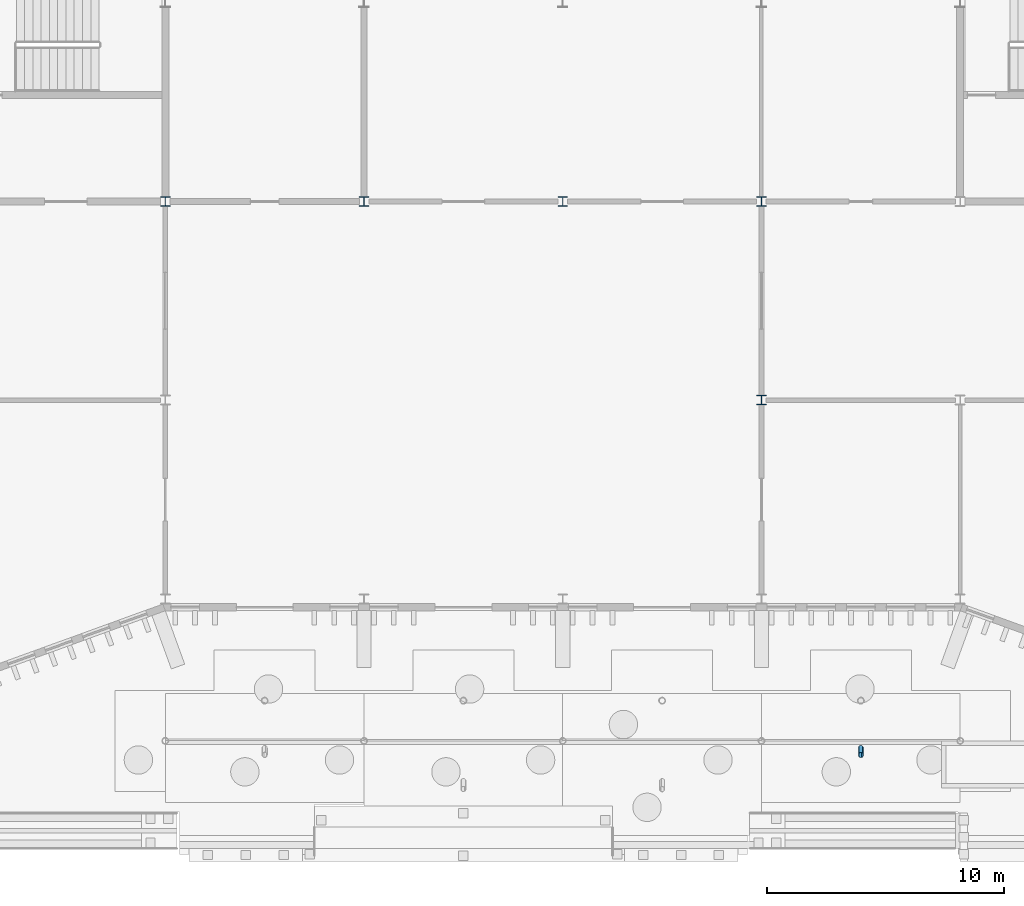
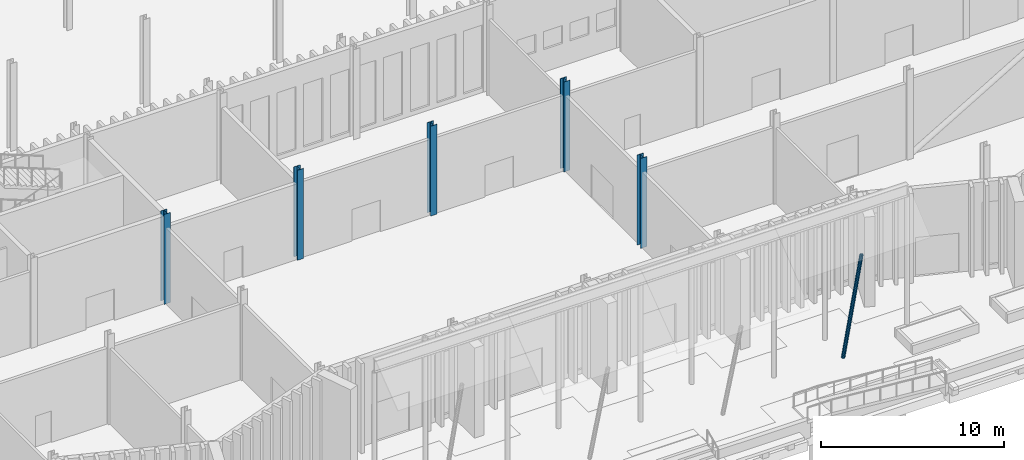
# One storey, part 17 of 108: 6 columns.
"""IFC4 building model written with IfcOpenShell, lengths in metres."""

from ifc_helpers import new_model, si_unit, direction, frame, origin, origin_2d, place, context, subcontext, project, spatial, hollow_circle, i_section, extrude, material, material_profile, profile_set, type_object, element, save


model = new_model("IFC4")

# Units and contexts
model_context = context("Model", 3, precision=1e-05, world=origin(), true_north=direction((0.0, 1.0)))
body_context = subcontext(model_context, "Body", "Model", "MODEL_VIEW")
ifc_project = project(units=[si_unit("LENGTHUNIT", "METRE"), si_unit("AREAUNIT", "SQUARE_METRE"), si_unit("VOLUMEUNIT", "CUBIC_METRE"), si_unit("PLANEANGLEUNIT", "RADIAN"), si_unit("MASSUNIT", "GRAM", prefix="KILO")], contexts=[model_context])

# Site, building, storey
site_placement = place(None, origin())
site = spatial("IfcSite", under=ifc_project, at=site_placement, CompositionType="ELEMENT")
building_placement = place(site_placement, origin())
building = spatial("IfcBuilding", under=site, at=building_placement, Name="Cresset Court Congress Hotel", CompositionType="ELEMENT")
storey_placement = place(building_placement, origin())
storey = spatial("IfcBuildingStorey", under=building, at=storey_placement, Name="L00", CompositionType="ELEMENT", Elevation=0.0)

# Columns
ifc_material_1 = material(Name="Structural steel Q355B", Category="steel")
ifc_material_profile_1 = material_profile(ifc_material_1, hollow_circle(Radius=0.109619140625, WallThickness=0.010009765625, at=origin_2d()), Name="CHS219x10")
ifc_profile_set_1 = profile_set([ifc_material_profile_1], Name="Structural steel Q355B")
column_type_1 = type_object("IfcColumnType", Name="Forecourt canopy strut CHS219x10", PredefinedType="COLUMN", material=ifc_profile_set_1)
column_placement = place(storey_placement, frame((96.60009765625, -6.300048828125, 0.0), z_axis=(0.0, -0.241012384884, 0.970522040107), x_axis=(1.0, 0.0, 0.0)))
element("IfcColumn", 1, at=column_placement, inside=storey, type_object=column_type_1, Name="Forecourt canopy raked strut 4", PredefinedType="COLUMN", context=body_context, shape_type="SweptSolid", body=[
    extrude(hollow_circle(Radius=0.109619140625, WallThickness=0.010009765625, at=origin_2d()), origin(), (0.0, 0.0, 1.0), 8.29833984375),
])
ifc_material_2 = material(Name="Structural steel Q355B", Category="steel")
ifc_material_profile_2 = material_profile(ifc_material_2, i_section(OverallWidth=0.39990234375, OverallDepth=0.39990234375, WebThickness=0.012939453125, FlangeThickness=0.02099609375, FilletRadius=0.02197265625, at=origin_2d()), Name="HW400x400x13x21")
ifc_profile_set_2 = profile_set([ifc_material_profile_2], Name="Structural steel Q355B")
column_type_2 = type_object("IfcColumnType", Name="Steel column HW400x400x13x21", PredefinedType="COLUMN", material=ifc_profile_set_2)
for number, where, z_axis, x_axis, name in (
    (2, (67.199951171875, 16.800048828125, 0.0), (0.0, 0.0, 1.0), (1.0, 0.0, 0.0), "B.col.L00.09C"),
    (3, (75.60009765625, 16.800048828125, 0.0), (0.0, 0.0, 1.0), (1.0, 0.0, 0.0), "B.col.L00.10C"),
    (4, (84.0, 16.800048828125, 0.0), (0.0, 0.0, 1.0), (1.0, 0.0, 0.0), "B.col.L00.11C"),
    (5, (92.39990234375, 8.39990234375, 0.0), (0.0, 0.0, 1.0), (1.0, 0.0, 0.0), "B.col.L00.12B"),
    (6, (92.39990234375, 16.800048828125, 0.0), (0.0, 0.0, 1.0), (1.0, 0.0, 0.0), "B.col.L00.12C"),
):
    element("IfcColumn", number, at=place(storey_placement, frame(where, z_axis=z_axis, x_axis=x_axis)), inside=storey, type_object=column_type_2, Name=name, PredefinedType="COLUMN", context=body_context, shape_type="SweptSolid", body=[
        extrude(i_section(OverallWidth=0.39990234375, OverallDepth=0.39990234375, WebThickness=0.012939453125, FlangeThickness=0.02099609375, FilletRadius=0.02197265625, at=origin_2d()), origin(), (0.0, 0.0, 1.0), 6.0),
    ])

save(model, "model.ifc")
